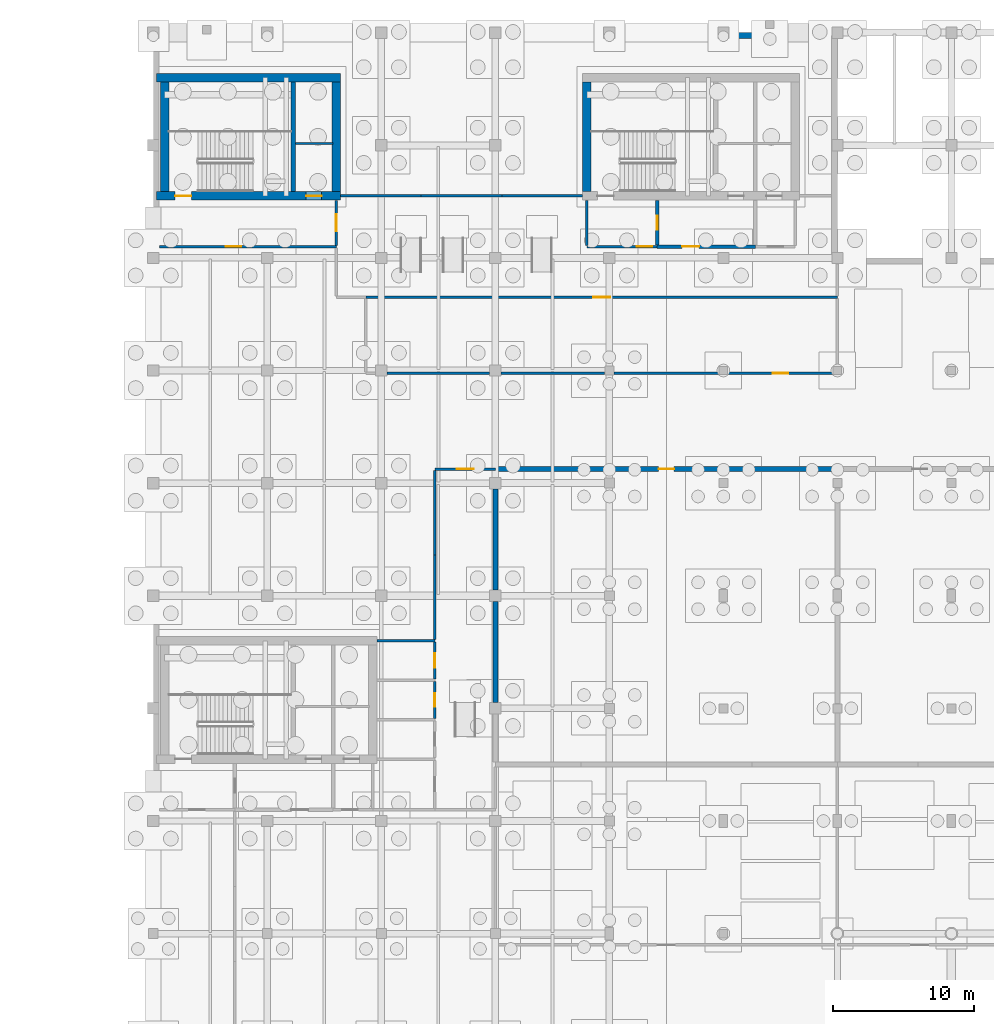
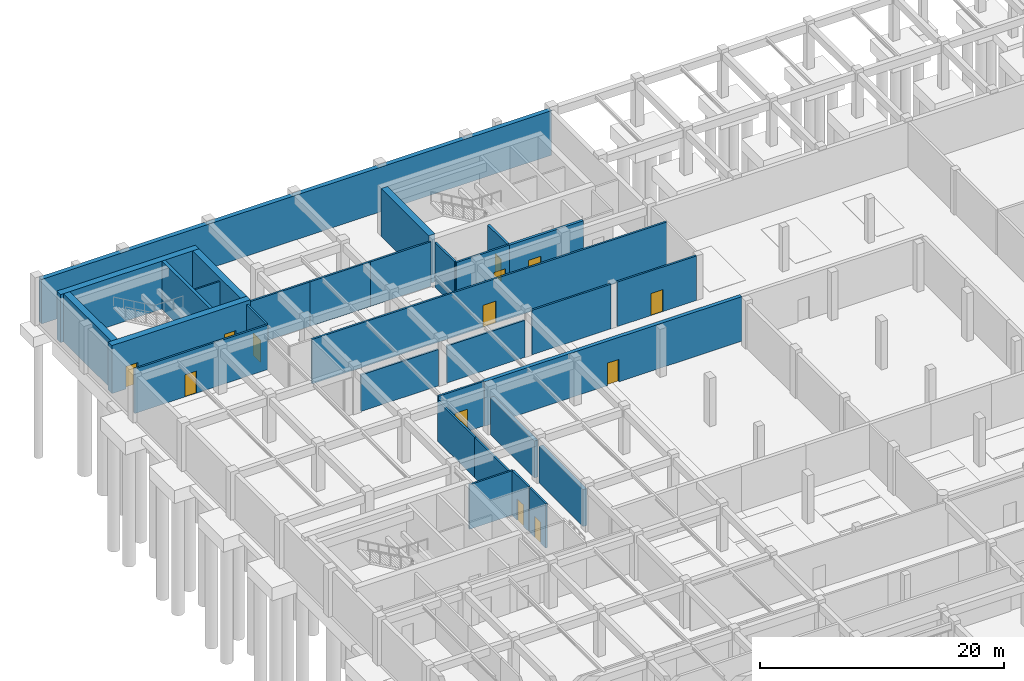
# One storey, part 17 of 25: 31 walls, 13 doors, 13 openings.
"""IFC4 building model written with IfcOpenShell, lengths in metres."""

from ifc_helpers import new_model, si_unit, direction, frame, frame_2d, origin, place, context, subcontext, project, spatial, rectangle, extrude, material, layer, layer_set, type_object, element, fill, save


model = new_model("IFC4")

# Units and contexts
model_context = context("Model", 3, precision=1e-05, world=origin(), true_north=direction((0.0, 1.0)))
body_context = subcontext(model_context, "Body", "Model", "MODEL_VIEW")
ifc_project = project(units=[si_unit("LENGTHUNIT", "METRE"), si_unit("AREAUNIT", "SQUARE_METRE"), si_unit("VOLUMEUNIT", "CUBIC_METRE"), si_unit("PLANEANGLEUNIT", "RADIAN"), si_unit("MASSUNIT", "GRAM", prefix="KILO")], contexts=[model_context])

# Site, building, storey
site_placement = place(None, origin())
site = spatial("IfcSite", under=ifc_project, at=site_placement, CompositionType="ELEMENT")
building_placement = place(site_placement, origin())
building = spatial("IfcBuilding", under=site, at=building_placement, Name="Tarnveldt Square Police Headquarters", CompositionType="ELEMENT")
storey_placement = place(building_placement, frame((0.0, 0.0, -4.800048828125)))
storey = spatial("IfcBuildingStorey", under=building, at=storey_placement, Name="B1", CompositionType="ELEMENT", Elevation=-4.800048828125)

# Wall
ifc_material_1 = material(Name="Concrete 50 MPa", Category="concrete")
ifc_layer_1 = layer(ifc_material_1, 0.449951171875)
ifc_layer_set_1 = layer_set([ifc_layer_1], Name="Concrete 50 MPa")
wall_type_1 = type_object("IfcWallType", Name="WL-CORE-450", PredefinedType="SHEAR", material=ifc_layer_set_1)
wall_1_placement = place(storey_placement, frame((26.14990234375, 100.699951171875, 0.0), z_axis=(0.0, 0.0, 1.0), x_axis=(0.0, 1.0, 0.0)))
element("IfcWall", 1, at=wall_1_placement, inside=storey, type_object=wall_type_1, Name="Core K2 North-West Operations Core B1 Stair-Lift Divider Shear Wall", PredefinedType="SHEAR", context=body_context, shape_type="SweptSolid", body=[
    extrude(rectangle(XDim=7.800048828125, YDim=0.300048828125, at=frame_2d((3.89990234375, 0.0))), origin(), (0.0, 0.0, 1.0), 4.800048828125),
])

# Wall, openings, doors
ifc_layer_2 = layer(ifc_material_1, 0.60009765625)
ifc_layer_set_2 = layer_set([ifc_layer_2], Name="Concrete 50 MPa")
wall_type_2 = type_object("IfcWallType", Name="WL-CORE-600", PredefinedType="SHEAR", material=ifc_layer_set_2)
wall_2_placement = place(storey_placement, frame((16.419921875, 100.39990234375, 0.0), z_axis=(0.0, 0.0, 1.0), x_axis=(1.0, 0.0, 0.0)))
wall_2 = element("IfcWall", 2, at=wall_2_placement, inside=storey, type_object=wall_type_2, Name="Core K2 North-West Operations Core B1 South Shear Wall", PredefinedType="SHEAR", context=body_context, shape_type="SweptSolid", body=[
    extrude(rectangle(XDim=13.080078125, YDim=0.60009765625, at=frame_2d((6.5400390625, 0.0))), origin(), (0.0, 0.0, 1.0), 4.800048828125),
])
opening_1_placement = place(wall_2_placement, frame((1.330078125, 0.0, 0.0)))
opening_1 = element("IfcOpeningElement", 3, at=opening_1_placement, cuts=wall_2, Name="Opening D-ST2-B1", PredefinedType="OPENING", context=body_context, shape_type="SweptSolid", body=[
    extrude(rectangle(XDim=1.14990234375, YDim=2.25, at=frame_2d((0.574951171875, 1.125))), frame((0.0, 0.31005859375, 0.0), z_axis=(0.0, -1.0, 0.0), x_axis=(1.0, 0.0, 0.0)), (0.0, 0.0, 1.0), 0.6201171875),
])
opening_2_placement = place(wall_2_placement, frame((10.635009765625, 0.0, 0.0)))
opening_2 = element("IfcOpeningElement", 4, at=opening_2_placement, cuts=wall_2, Name="Opening LD-LP2-B1", PredefinedType="OPENING", context=body_context, shape_type="SweptSolid", body=[
    extrude(rectangle(XDim=1.10009765625, YDim=2.199951171875, at=frame_2d((0.550048828125, 1.10009765625))), frame((0.0, 0.31005859375, 0.0), z_axis=(0.0, -1.0, 0.0), x_axis=(1.0, 0.0, 0.0)), (0.0, 0.0, 1.0), 0.6201171875),
])
ifc_material_2 = material(Name="Insulated hollow metal steel door leaf", Category="steel")
door_type_1 = type_object("IfcDoorType", Name="DR-FD90-1150", OperationType="NOTDEFINED", PredefinedType="DOOR", material=ifc_material_2)
door_1_placement = place(opening_1_placement, frame((1.14990234375, 0.0, 0.0), z_axis=(0.0, 0.0, 1.0), x_axis=(-1.0, 0.0, 0.0)))
door_1 = element("IfcDoor", 5, at=door_1_placement, inside=storey, type_object=door_type_1, Name="Exit Stair ST2 B1 Fire Door", OperationType="SINGLE_SWING_LEFT", OverallHeight=2.25, OverallWidth=1.14990234375, PredefinedType="DOOR", context=body_context, shape_type="SweptSolid", body=[
    extrude(rectangle(XDim=1.14990234375, YDim=2.25, at=frame_2d((0.574951171875, 1.125))), frame((0.0, 0.02490234375, 0.0), z_axis=(0.0, -1.0, 0.0), x_axis=(1.0, 0.0, 0.0)), (0.0, 0.0, 1.0), 0.050048828125),
])
fill(opening_1, door_1)
ifc_material_3 = material(Name="Steel 350W", Category="steel")
door_type_2 = type_object("IfcDoorType", Name="DR-LD-1100", OperationType="DOUBLE_DOOR_SLIDING", PredefinedType="DOOR", material=ifc_material_3)
door_2_placement = place(opening_2_placement, frame((1.10009765625, 0.0, 0.0), z_axis=(0.0, 0.0, 1.0), x_axis=(-1.0, 0.0, 0.0)))
door_2 = element("IfcDoor", 6, at=door_2_placement, inside=storey, type_object=door_type_2, Name="Elevator LP2 B1 Sliding Landing Door", OperationType="DOUBLE_DOOR_SLIDING", OverallHeight=2.199951171875, OverallWidth=1.10009765625, PredefinedType="DOOR", context=body_context, shape_type="SweptSolid", body=[
    extrude(rectangle(XDim=1.10009765625, YDim=2.199951171875, at=frame_2d((0.550048828125, 1.10009765625))), frame((0.0, 0.02490234375, 0.0), z_axis=(0.0, -1.0, 0.0), x_axis=(1.0, 0.0, 0.0)), (0.0, 0.0, 1.0), 0.050048828125),
])
fill(opening_2, door_2)

# Walls
wall_3_placement = place(storey_placement, frame((16.419921875, 108.800048828125, 0.0), z_axis=(0.0, 0.0, 1.0), x_axis=(1.0, 0.0, 0.0)))
element("IfcWall", 7, at=wall_3_placement, inside=storey, type_object=wall_type_2, Name="Core K2 North-West Operations Core B1 North Shear Wall", PredefinedType="SHEAR", context=body_context, shape_type="SweptSolid", body=[
    extrude(rectangle(XDim=13.080078125, YDim=0.60009765625, at=frame_2d((6.5400390625, 0.0))), origin(), (0.0, 0.0, 1.0), 4.800048828125),
])
for number, where, z_axis, x_axis, name in (
    (8, (17.0, 100.699951171875, 0.0), (0.0, 0.0, 1.0), (0.0, 1.0, 0.0), "Core K2 North-West Operations Core B1 West Shear Wall"),
    (9, (29.199951171875, 100.699951171875, 0.0), (0.0, 0.0, 1.0), (0.0, 1.0, 0.0), "Core K2 North-West Operations Core B1 East Shear Wall"),
    (10, (47.0, 100.699951171875, 0.0), (0.0, 0.0, 1.0), (0.0, 1.0, 0.0), "Core K3 North-Central Forensic and Firefighting Core B1 West Shear Wall"),
):
    element("IfcWall", number, at=place(storey_placement, frame(where, z_axis=z_axis, x_axis=x_axis)), inside=storey, type_object=wall_type_2, Name=name, PredefinedType="SHEAR", context=body_context, shape_type="SweptSolid", body=[
        extrude(rectangle(XDim=7.800048828125, YDim=0.60009765625, at=frame_2d((3.89990234375, 0.0))), origin(), (0.0, 0.0, 1.0), 4.800048828125),
    ])

# Wall, opening, door
ifc_material_4 = material(Name="Concrete 40 MPa", Category="concrete")
ifc_layer_3 = layer(ifc_material_4, 0.35009765625)
ifc_layer_set_3 = layer_set([ifc_layer_3], Name="Concrete 40 MPa")
wall_type_3 = type_object("IfcWallType", Name="WL-CUST-350", PredefinedType="SOLIDWALL", material=ifc_layer_set_3)
wall_4_placement = place(storey_placement, frame((40.5, 81.0, 0.0), z_axis=(0.0, 0.0, 1.0), x_axis=(1.0, 0.0, 0.0)))
wall_4 = element("IfcWall", 11, at=wall_4_placement, inside=storey, type_object=wall_type_3, Name="B1 Interior Partition Wall 0038", PredefinedType="SOLIDWALL", context=body_context, shape_type="SweptSolid", body=[
    extrude(rectangle(XDim=24.300048828125, YDim=0.35009765625, at=frame_2d((12.14990234375, 0.0))), origin(), (0.0, 0.0, 1.0), 4.449951171875),
])
opening_3_placement = place(wall_4_placement, frame((11.60009765625, 0.0, 0.0)))
opening_3 = element("IfcOpeningElement", 12, at=opening_3_placement, cuts=wall_4, Name="Opening D12", PredefinedType="OPENING", context=body_context, shape_type="SweptSolid", body=[
    extrude(rectangle(XDim=1.10009765625, YDim=2.25, at=frame_2d((0.550048828125, 1.125))), frame((0.0, 0.18505859375, 0.0), z_axis=(0.0, -1.0, 0.0), x_axis=(1.0, 0.0, 0.0)), (0.0, 0.0, 1.0), 0.3701171875),
])
door_type_3 = type_object("IfcDoorType", Name="DR-SEC-1100", OperationType="NOTDEFINED", PredefinedType="DOOR", material=ifc_material_3)
door_3_placement = place(opening_3_placement, frame((1.10009765625, 0.0, 0.0), z_axis=(0.0, 0.0, 1.0), x_axis=(-1.0, 0.0, 0.0)))
door_3 = element("IfcDoor", 13, at=door_3_placement, inside=storey, type_object=door_type_3, Name="High-Security Narcotics Evidence Vault Door", OperationType="SINGLE_SWING_LEFT", OverallHeight=2.25, OverallWidth=1.10009765625, PredefinedType="DOOR", context=body_context, shape_type="SweptSolid", body=[
    extrude(rectangle(XDim=1.10009765625, YDim=2.25, at=frame_2d((0.550048828125, 1.125))), frame((0.0, 0.02490234375, 0.0), z_axis=(0.0, -1.0, 0.0), x_axis=(1.0, 0.0, 0.0)), (0.0, 0.0, 1.0), 0.050048828125),
])
fill(opening_3, door_3)

# Walls
for number, where, z_axis, x_axis, name in (
    (14, (40.5, 64.407958984375, 0.0), (0.0, 0.0, 1.0), (0.0, 1.0, 0.0), "B1 Interior Partition Wall 0070"),
    (15, (40.5, 72.407958984375, 0.0), (0.0, 0.0, 1.0), (0.0, 1.0, 0.0), "B1 Interior Partition Wall 0071"),
):
    element("IfcWall", number, at=place(storey_placement, frame(where, z_axis=z_axis, x_axis=x_axis)), inside=storey, type_object=wall_type_3, Name=name, PredefinedType="SOLIDWALL", context=body_context, shape_type="SweptSolid", body=[
        extrude(rectangle(XDim=7.18408203125, YDim=0.35009765625, at=frame_2d((3.592041015625, 0.0))), origin(), (0.0, 0.0, 1.0), 3.692138671875),
    ])

# Wall, opening, door
ifc_material_5 = material(Name="Fire-rated Type X gypsum board on steel studs", Category="steel")
ifc_layer_4 = layer(ifc_material_5, 0.179931640625)
ifc_layer_set_4 = layer_set([ifc_layer_4], Name="Fire-rated Type X gypsum board on steel studs")
wall_type_4 = type_object("IfcWallType", Name="WL-FIRE-180", PredefinedType="PARTITIONING", material=ifc_layer_set_4)
wall_5_placement = place(storey_placement, frame((16.6279296875, 96.800048828125, 0.0), z_axis=(0.0, 0.0, 1.0), x_axis=(1.0, 0.0, 0.0)))
wall_5 = element("IfcWall", 16, at=wall_5_placement, inside=storey, type_object=wall_type_4, Name="B1 Interior Partition Wall 0004", PredefinedType="PARTITIONING", context=body_context, shape_type="SweptSolid", body=[
    extrude(rectangle(XDim=12.572021484375, YDim=0.179931640625, at=frame_2d((6.2861328125, 0.0))), origin(), (0.0, 0.0, 1.0), 4.449951171875),
])
opening_4_placement = place(wall_5_placement, frame((4.730224609375, 0.0, 0.0)))
opening_4 = element("IfcOpeningElement", 17, at=opening_4_placement, cuts=wall_5, Name="Opening D15", PredefinedType="OPENING", context=body_context, shape_type="SweptSolid", body=[
    extrude(rectangle(XDim=1.10009765625, YDim=2.199951171875, at=frame_2d((0.550048828125, 1.10009765625))), frame((0.0, 0.099853515625, 0.0), z_axis=(0.0, -1.0, 0.0), x_axis=(1.0, 0.0, 0.0)), (0.0, 0.0, 1.0), 0.199951171875),
])
door_type_4 = type_object("IfcDoorType", Name="DR-FD60-1100", OperationType="NOTDEFINED", PredefinedType="DOOR", material=ifc_material_2)
door_4_placement = place(opening_4_placement, origin())
door_4 = element("IfcDoor", 18, at=door_4_placement, inside=storey, type_object=door_type_4, Name="Core Lift Lobby K2-B1 Secondary Door", OperationType="SINGLE_SWING_RIGHT", OverallHeight=2.199951171875, OverallWidth=1.10009765625, PredefinedType="DOOR", context=body_context, shape_type="SweptSolid", body=[
    extrude(rectangle(XDim=1.10009765625, YDim=2.199951171875, at=frame_2d((0.550048828125, 1.10009765625))), frame((0.0, 0.02490234375, 0.0), z_axis=(0.0, -1.0, 0.0), x_axis=(1.0, 0.0, 0.0)), (0.0, 0.0, 1.0), 0.050048828125),
])
fill(opening_4, door_4)

# Walls
wall_6_placement = place(storey_placement, frame((29.5, 100.39990234375, 0.0), z_axis=(0.0, 0.0, 1.0), x_axis=(1.0, 0.0, 0.0)))
element("IfcWall", 19, at=wall_6_placement, inside=storey, type_object=wall_type_4, Name="B1 Interior Partition Wall 0017", PredefinedType="PARTITIONING", context=body_context, shape_type="SweptSolid", body=[
    extrude(rectangle(XDim=5.7333984375, YDim=0.179931640625, at=frame_2d((2.86669921875, 0.0))), origin(), (0.0, 0.0, 1.0), 4.449951171875),
])
wall_7_placement = place(storey_placement, frame((35.2333984375, 100.39990234375, 0.0), z_axis=(0.0, 0.0, 1.0), x_axis=(1.0, 0.0, 0.0)))
element("IfcWall", 20, at=wall_7_placement, inside=storey, type_object=wall_type_4, Name="B1 Interior Partition Wall 0018", PredefinedType="PARTITIONING", context=body_context, shape_type="SweptSolid", body=[
    extrude(rectangle(XDim=5.733154296875, YDim=0.179931640625, at=frame_2d((2.86669921875, 0.0))), origin(), (0.0, 0.0, 1.0), 4.449951171875),
])
wall_8_placement = place(storey_placement, frame((40.966552734375, 100.39990234375, 0.0), z_axis=(0.0, 0.0, 1.0), x_axis=(1.0, 0.0, 0.0)))
element("IfcWall", 21, at=wall_8_placement, inside=storey, type_object=wall_type_4, Name="B1 Interior Partition Wall 0019", PredefinedType="PARTITIONING", context=body_context, shape_type="SweptSolid", body=[
    extrude(rectangle(XDim=5.7333984375, YDim=0.179931640625, at=frame_2d((2.86669921875, 0.0))), origin(), (0.0, 0.0, 1.0), 4.449951171875),
])
wall_9_placement = place(storey_placement, frame((32.80810546875, 87.800048828125, 0.0), z_axis=(0.0, 0.0, 1.0), x_axis=(1.0, 0.0, 0.0)))
element("IfcWall", 22, at=wall_9_placement, inside=storey, type_object=wall_type_4, Name="B1 Interior Partition Wall 0021", PredefinedType="PARTITIONING", context=body_context, shape_type="SweptSolid", body=[
    extrude(rectangle(XDim=7.283935546875, YDim=0.179931640625, at=frame_2d((3.64208984375, 0.0))), origin(), (0.0, 0.0, 1.0), 3.64208984375),
])
wall_10_placement = place(storey_placement, frame((40.907958984375, 87.800048828125, 0.0), z_axis=(0.0, 0.0, 1.0), x_axis=(1.0, 0.0, 0.0)))
element("IfcWall", 23, at=wall_10_placement, inside=storey, type_object=wall_type_4, Name="B1 Interior Partition Wall 0022", PredefinedType="PARTITIONING", context=body_context, shape_type="SweptSolid", body=[
    extrude(rectangle(XDim=7.359130859375, YDim=0.179931640625, at=frame_2d((3.6796875, 0.0))), origin(), (0.0, 0.0, 1.0), 3.692138671875),
])
wall_11_placement = place(storey_placement, frame((48.93310546875, 87.800048828125, 0.0), z_axis=(0.0, 0.0, 1.0), x_axis=(1.0, 0.0, 0.0)))
element("IfcWall", 24, at=wall_11_placement, inside=storey, type_object=wall_type_4, Name="B1 Interior Partition Wall 0023", PredefinedType="PARTITIONING", context=body_context, shape_type="SweptSolid", body=[
    extrude(rectangle(XDim=7.458984375, YDim=0.179931640625, at=frame_2d((3.7294921875, 0.0))), origin(), (0.0, 0.0, 1.0), 4.449951171875),
])

# Wall, opening, door
wall_12_placement = place(storey_placement, frame((57.008056640625, 87.800048828125, 0.0), z_axis=(0.0, 0.0, 1.0), x_axis=(1.0, 0.0, 0.0)))
wall_12 = element("IfcWall", 25, at=wall_12_placement, inside=storey, type_object=wall_type_4, Name="B1 Interior Partition Wall 0024", PredefinedType="PARTITIONING", context=body_context, shape_type="SweptSolid", body=[
    extrude(rectangle(XDim=7.48388671875, YDim=0.179931640625, at=frame_2d((3.741943359375, 0.0))), origin(), (0.0, 0.0, 1.0), 4.449951171875),
])
opening_5_placement = place(wall_12_placement, frame((3.19189453125, 0.0, 0.0)))
opening_5 = element("IfcOpeningElement", 26, at=opening_5_placement, cuts=wall_12, Name="Opening D15", PredefinedType="OPENING", context=body_context, shape_type="SweptSolid", body=[
    extrude(rectangle(XDim=1.10009765625, YDim=2.199951171875, at=frame_2d((0.550048828125, 1.10009765625))), frame((0.0, 0.099853515625, 0.0), z_axis=(0.0, -1.0, 0.0), x_axis=(1.0, 0.0, 0.0)), (0.0, 0.0, 1.0), 0.199951171875),
])
door_5_placement = place(opening_5_placement, origin())
door_5 = element("IfcDoor", 27, at=door_5_placement, inside=storey, type_object=door_type_4, Name="Officer Secure Bicycle and Gear Locker Room Door", OperationType="SINGLE_SWING_LEFT", OverallHeight=2.199951171875, OverallWidth=1.10009765625, PredefinedType="DOOR", context=body_context, shape_type="SweptSolid", body=[
    extrude(rectangle(XDim=1.10009765625, YDim=2.199951171875, at=frame_2d((0.550048828125, 1.10009765625))), frame((0.0, 0.02490234375, 0.0), z_axis=(0.0, -1.0, 0.0), x_axis=(1.0, 0.0, 0.0)), (0.0, 0.0, 1.0), 0.050048828125),
])
fill(opening_5, door_5)

wall_13_placement = place(storey_placement, frame((31.300048828125, 93.199951171875, 0.0), z_axis=(0.0, 0.0, 1.0), x_axis=(1.0, 0.0, 0.0)))
wall_13 = element("IfcWall", 28, at=wall_13_placement, inside=storey, type_object=wall_type_4, Name="B1 Interior Partition Wall 0025", PredefinedType="PARTITIONING", context=body_context, shape_type="SweptSolid", body=[
    extrude(rectangle(XDim=33.5, YDim=0.179931640625, at=frame_2d((16.75, 0.0))), origin(), (0.0, 0.0, 1.0), 4.449951171875),
])
opening_6_placement = place(wall_13_placement, frame((16.14990234375, 0.0, 0.0)))
opening_6 = element("IfcOpeningElement", 29, at=opening_6_placement, cuts=wall_13, Name="Opening D16", PredefinedType="OPENING", context=body_context, shape_type="SweptSolid", body=[
    extrude(rectangle(XDim=1.199951171875, YDim=2.199951171875, at=frame_2d((0.60009765625, 1.10009765625))), frame((0.0, 0.099853515625, 0.0), z_axis=(0.0, -1.0, 0.0), x_axis=(1.0, 0.0, 0.0)), (0.0, 0.0, 1.0), 0.199951171875),
])
door_type_5 = type_object("IfcDoorType", Name="DR-FD60-1200", OperationType="NOTDEFINED", PredefinedType="DOOR", material=ifc_material_2)
door_6_placement = place(opening_6_placement, origin())
door_6 = element("IfcDoor", 30, at=door_6_placement, inside=storey, type_object=door_type_5, Name="Basement Core K3 North Corridor Door", OperationType="SINGLE_SWING_RIGHT", OverallHeight=2.199951171875, OverallWidth=1.199951171875, PredefinedType="DOOR", context=body_context, shape_type="SweptSolid", body=[
    extrude(rectangle(XDim=1.199951171875, YDim=2.199951171875, at=frame_2d((0.60009765625, 1.10009765625))), frame((0.0, 0.02490234375, 0.0), z_axis=(0.0, -1.0, 0.0), x_axis=(1.0, 0.0, 0.0)), (0.0, 0.0, 1.0), 0.050048828125),
])
fill(opening_6, door_6)

wall_14_placement = place(storey_placement, frame((36.199951171875, 81.0, 0.0), z_axis=(0.0, 0.0, 1.0), x_axis=(1.0, 0.0, 0.0)))
wall_14 = element("IfcWall", 31, at=wall_14_placement, inside=storey, type_object=wall_type_4, Name="B1 Interior Partition Wall 0032", PredefinedType="PARTITIONING", context=body_context, shape_type="SweptSolid", body=[
    extrude(rectangle(XDim=4.300048828125, YDim=0.179931640625, at=frame_2d((2.14990234375, 0.0))), origin(), (0.0, 0.0, 1.0), 4.449951171875),
])
opening_7_placement = place(wall_14_placement, frame((1.550048828125, 0.0, 0.0)))
opening_7 = element("IfcOpeningElement", 32, at=opening_7_placement, cuts=wall_14, Name="Opening D16", PredefinedType="OPENING", context=body_context, shape_type="SweptSolid", body=[
    extrude(rectangle(XDim=1.199951171875, YDim=2.199951171875, at=frame_2d((0.60009765625, 1.10009765625))), frame((0.0, 0.099853515625, 0.0), z_axis=(0.0, -1.0, 0.0), x_axis=(1.0, 0.0, 0.0)), (0.0, 0.0, 1.0), 0.199951171875),
])
door_7_placement = place(opening_7_placement, frame((1.199951171875, 0.0, 0.0), z_axis=(0.0, 0.0, 1.0), x_axis=(-1.0, 0.0, 0.0)))
door_7 = element("IfcDoor", 33, at=door_7_placement, inside=storey, type_object=door_type_5, Name="Basement Core K1 Corridor Door", OperationType="SINGLE_SWING_LEFT", OverallHeight=2.199951171875, OverallWidth=1.199951171875, PredefinedType="DOOR", context=body_context, shape_type="SweptSolid", body=[
    extrude(rectangle(XDim=1.199951171875, YDim=2.199951171875, at=frame_2d((0.60009765625, 1.10009765625))), frame((0.0, 0.02490234375, 0.0), z_axis=(0.0, -1.0, 0.0), x_axis=(1.0, 0.0, 0.0)), (0.0, 0.0, 1.0), 0.050048828125),
])
fill(opening_7, door_7)

wall_15_placement = place(storey_placement, frame((47.0, 96.800048828125, 0.0), z_axis=(0.0, 0.0, 1.0), x_axis=(1.0, 0.0, 0.0)))
wall_15 = element("IfcWall", 34, at=wall_15_placement, inside=storey, type_object=wall_type_4, Name="B1 Interior Partition Wall 0039", PredefinedType="PARTITIONING", context=body_context, shape_type="SweptSolid", body=[
    extrude(rectangle(XDim=5.0, YDim=0.179931640625, at=frame_2d((2.5, 0.0))), origin(), (0.0, 0.0, 1.0), 4.449951171875),
])
opening_8_placement = place(wall_15_placement, frame((3.550048828125, 0.0, 0.0)))
opening_8 = element("IfcOpeningElement", 35, at=opening_8_placement, cuts=wall_15, Name="Opening D15", PredefinedType="OPENING", context=body_context, shape_type="SweptSolid", body=[
    extrude(rectangle(XDim=1.10009765625, YDim=2.199951171875, at=frame_2d((0.550048828125, 1.10009765625))), frame((0.0, 0.099853515625, 0.0), z_axis=(0.0, -1.0, 0.0), x_axis=(1.0, 0.0, 0.0)), (0.0, 0.0, 1.0), 0.199951171875),
])
door_8_placement = place(opening_8_placement, frame((1.10009765625, 0.0, 0.0), z_axis=(0.0, 0.0, 1.0), x_axis=(-1.0, 0.0, 0.0)))
door_8 = element("IfcDoor", 36, at=door_8_placement, inside=storey, type_object=door_type_4, Name="Core Stair Lobby K3-B1 Door", OperationType="SINGLE_SWING_RIGHT", OverallHeight=2.199951171875, OverallWidth=1.10009765625, PredefinedType="DOOR", context=body_context, shape_type="SweptSolid", body=[
    extrude(rectangle(XDim=1.10009765625, YDim=2.199951171875, at=frame_2d((0.550048828125, 1.10009765625))), frame((0.0, 0.02490234375, 0.0), z_axis=(0.0, -1.0, 0.0), x_axis=(1.0, 0.0, 0.0)), (0.0, 0.0, 1.0), 0.050048828125),
])
fill(opening_8, door_8)

wall_16_placement = place(storey_placement, frame((29.199951171875, 96.89794921875, 0.0), z_axis=(0.0, 0.0, 1.0), x_axis=(0.0, 1.0, 0.0)))
wall_16 = element("IfcWall", 37, at=wall_16_placement, inside=storey, type_object=wall_type_4, Name="B1 Interior Partition Wall 0058", PredefinedType="PARTITIONING", context=body_context, shape_type="SweptSolid", body=[
    extrude(rectangle(XDim=3.194091796875, YDim=0.179931640625, at=frame_2d((1.59716796875, 0.0))), origin(), (0.0, 0.0, 1.0), 4.449951171875),
])
opening_9_placement = place(wall_16_placement, frame((0.9970703125, 0.0, 0.0)))
opening_9 = element("IfcOpeningElement", 38, at=opening_9_placement, cuts=wall_16, Name="Opening D16", PredefinedType="OPENING", context=body_context, shape_type="SweptSolid", body=[
    extrude(rectangle(XDim=1.199951171875, YDim=2.199951171875, at=frame_2d((0.60009765625, 1.10009765625))), frame((0.0, 0.099853515625, 0.0), z_axis=(0.0, -1.0, 0.0), x_axis=(1.0, 0.0, 0.0)), (0.0, 0.0, 1.0), 0.199951171875),
])
door_9_placement = place(opening_9_placement, frame((1.199951171875, 0.0, 0.0), z_axis=(0.0, 0.0, 1.0), x_axis=(-1.0, 0.0, 0.0)))
door_9 = element("IfcDoor", 39, at=door_9_placement, inside=storey, type_object=door_type_5, Name="Core Lift Lobby K2-B1 Door", OperationType="SINGLE_SWING_LEFT", OverallHeight=2.199951171875, OverallWidth=1.199951171875, PredefinedType="DOOR", context=body_context, shape_type="SweptSolid", body=[
    extrude(rectangle(XDim=1.199951171875, YDim=2.199951171875, at=frame_2d((0.60009765625, 1.10009765625))), frame((0.0, 0.02490234375, 0.0), z_axis=(0.0, -1.0, 0.0), x_axis=(1.0, 0.0, 0.0)), (0.0, 0.0, 1.0), 0.050048828125),
])
fill(opening_9, door_9)

wall_17_placement = place(storey_placement, frame((36.199951171875, 63.2880859375, 0.0), z_axis=(0.0, 0.0, 1.0), x_axis=(0.0, 1.0, 0.0)))
wall_17 = element("IfcWall", 40, at=wall_17_placement, inside=storey, type_object=wall_type_4, Name="B1 Interior Partition Wall 0063", PredefinedType="PARTITIONING", context=body_context, shape_type="SweptSolid", body=[
    extrude(rectangle(XDim=2.6240234375, YDim=0.179931640625, at=frame_2d((1.31201171875, 0.0))), origin(), (0.0, 0.0, 1.0), 4.449951171875),
])
opening_10_placement = place(wall_17_placement, frame((0.8369140625, 0.0, 0.0)))
opening_10 = element("IfcOpeningElement", 41, at=opening_10_placement, cuts=wall_17, Name="Opening D02", PredefinedType="OPENING", context=body_context, shape_type="SweptSolid", body=[
    extrude(rectangle(XDim=0.949951171875, YDim=2.10009765625, at=frame_2d((0.47509765625, 1.050048828125))), frame((0.0, 0.099853515625, 0.0), z_axis=(0.0, -1.0, 0.0), x_axis=(1.0, 0.0, 0.0)), (0.0, 0.0, 1.0), 0.199951171875),
])
ifc_material_6 = material(Name="Solid core architectural birch door leaf", Category="wood")
door_type_6 = type_object("IfcDoorType", Name="DR-WC-950", OperationType="NOTDEFINED", PredefinedType="DOOR", material=ifc_material_6)
door_10_placement = place(opening_10_placement, origin())
door_10 = element("IfcDoor", 42, at=door_10_placement, inside=storey, type_object=door_type_6, Name="Women Washroom B1 Door", OperationType="SINGLE_SWING_RIGHT", OverallHeight=2.10009765625, OverallWidth=0.949951171875, PredefinedType="DOOR", context=body_context, shape_type="SweptSolid", body=[
    extrude(rectangle(XDim=0.949951171875, YDim=2.10009765625, at=frame_2d((0.47509765625, 1.050048828125))), frame((0.0, 0.02490234375, 0.0), z_axis=(0.0, -1.0, 0.0), x_axis=(1.0, 0.0, 0.0)), (0.0, 0.0, 1.0), 0.050048828125),
])
fill(opening_10, door_10)

wall_18_placement = place(storey_placement, frame((36.199951171875, 66.087890625, 0.0), z_axis=(0.0, 0.0, 1.0), x_axis=(0.0, 1.0, 0.0)))
wall_18 = element("IfcWall", 43, at=wall_18_placement, inside=storey, type_object=wall_type_4, Name="B1 Interior Partition Wall 0064", PredefinedType="PARTITIONING", context=body_context, shape_type="SweptSolid", body=[
    extrude(rectangle(XDim=2.6240234375, YDim=0.179931640625, at=frame_2d((1.31201171875, 0.0))), origin(), (0.0, 0.0, 1.0), 4.449951171875),
])
opening_11_placement = place(wall_18_placement, frame((0.81201171875, 0.0, 0.0)))
opening_11 = element("IfcOpeningElement", 44, at=opening_11_placement, cuts=wall_18, Name="Opening D04", PredefinedType="OPENING", context=body_context, shape_type="SweptSolid", body=[
    extrude(rectangle(XDim=1.0, YDim=2.14990234375, at=frame_2d((0.5, 1.074951171875))), frame((0.0, 0.099853515625, 0.0), z_axis=(0.0, -1.0, 0.0), x_axis=(1.0, 0.0, 0.0)), (0.0, 0.0, 1.0), 0.199951171875),
])
door_type_7 = type_object("IfcDoorType", Name="DR-ACC-1000", OperationType="NOTDEFINED", PredefinedType="DOOR", material=ifc_material_6)
door_11_placement = place(opening_11_placement, origin())
door_11 = element("IfcDoor", 45, at=door_11_placement, inside=storey, type_object=door_type_7, Name="Accessible WC B1 Door", OperationType="SINGLE_SWING_LEFT", OverallHeight=2.14990234375, OverallWidth=1.0, PredefinedType="DOOR", context=body_context, shape_type="SweptSolid", body=[
    extrude(rectangle(XDim=1.0, YDim=2.14990234375, at=frame_2d((0.5, 1.074951171875))), frame((0.0, 0.02490234375, 0.0), z_axis=(0.0, -1.0, 0.0), x_axis=(1.0, 0.0, 0.0)), (0.0, 0.0, 1.0), 0.050048828125),
])
fill(opening_11, door_11)

# Walls
for number, where, z_axis, x_axis, name in (
    (46, (36.199951171875, 68.887939453125, 0.0), (0.0, 0.0, 1.0), (0.0, 1.0, 0.0), "B1 Interior Partition Wall 0065"),
    (47, (36.199951171875, 74.89501953125, 0.0), (0.0, 0.0, 1.0), (0.0, 1.0, 0.0), "B1 Interior Partition Wall 0066"),
):
    element("IfcWall", number, at=place(storey_placement, frame(where, z_axis=z_axis, x_axis=x_axis)), inside=storey, type_object=wall_type_4, Name=name, PredefinedType="PARTITIONING", context=body_context, shape_type="SweptSolid", body=[
        extrude(rectangle(XDim=6.007080078125, YDim=0.179931640625, at=frame_2d((3.00341796875, 0.0))), origin(), (0.0, 0.0, 1.0), 4.03515625),
    ])
wall_19_placement = place(storey_placement, frame((47.0, 96.89794921875, 0.0), z_axis=(0.0, 0.0, 1.0), x_axis=(0.0, 1.0, 0.0)))
element("IfcWall", 48, at=wall_19_placement, inside=storey, type_object=wall_type_4, Name="B1 Interior Partition Wall 0072", PredefinedType="PARTITIONING", context=body_context, shape_type="SweptSolid", body=[
    extrude(rectangle(XDim=3.194091796875, YDim=0.179931640625, at=frame_2d((1.59716796875, 0.0))), origin(), (0.0, 0.0, 1.0), 4.449951171875),
])

# Wall, opening, door
ifc_material_7 = material(Name="Concrete block masonry 15 MPa", Category="masonry")
ifc_layer_5 = layer(ifc_material_7, 0.239990234375)
ifc_layer_set_5 = layer_set([ifc_layer_5], Name="Concrete block masonry 15 MPa")
wall_type_5 = type_object("IfcWallType", Name="WL-FIRE-240", PredefinedType="PARTITIONING", material=ifc_layer_set_5)
wall_20_placement = place(storey_placement, frame((52.0, 96.800048828125, 0.0), z_axis=(0.0, 0.0, 1.0), x_axis=(1.0, 0.0, 0.0)))
wall_20 = element("IfcWall", 49, at=wall_20_placement, inside=storey, type_object=wall_type_5, Name="B1 Interior Partition Wall 0041", PredefinedType="PARTITIONING", context=body_context, shape_type="SweptSolid", body=[
    extrude(rectangle(XDim=6.97509765625, YDim=0.239990234375, at=frame_2d((3.487548828125, 0.0))), origin(), (0.0, 0.0, 1.0), 4.449951171875),
])
opening_12_placement = place(wall_20_placement, frame((1.771484375, 0.0, 0.0)))
opening_12 = element("IfcOpeningElement", 50, at=opening_12_placement, cuts=wall_20, Name="Opening D20", PredefinedType="OPENING", context=body_context, shape_type="SweptSolid", body=[
    extrude(rectangle(XDim=1.199951171875, YDim=2.300048828125, at=frame_2d((0.60009765625, 1.14990234375))), frame((0.0, 0.1298828125, 0.0), z_axis=(0.0, -1.0, 0.0), x_axis=(1.0, 0.0, 0.0)), (0.0, 0.0, 1.0), 0.260009765625),
])
door_type_8 = type_object("IfcDoorType", Name="DR-FD90-1200", OperationType="NOTDEFINED", PredefinedType="DOOR", material=ifc_material_2)
door_12_placement = place(opening_12_placement, frame((1.199951171875, 0.0, 0.0), z_axis=(0.0, 0.0, 1.0), x_axis=(-1.0, 0.0, 0.0)))
door_12 = element("IfcDoor", 51, at=door_12_placement, inside=storey, type_object=door_type_8, Name="Firefighting Lift Lobby K3-B1 Door", OperationType="SINGLE_SWING_LEFT", OverallHeight=2.300048828125, OverallWidth=1.199951171875, PredefinedType="DOOR", context=body_context, shape_type="SweptSolid", body=[
    extrude(rectangle(XDim=1.199951171875, YDim=2.300048828125, at=frame_2d((0.60009765625, 1.14990234375))), frame((0.0, 0.02490234375, 0.0), z_axis=(0.0, -1.0, 0.0), x_axis=(1.0, 0.0, 0.0)), (0.0, 0.0, 1.0), 0.050048828125),
])
fill(opening_12, door_12)

wall_21_placement = place(storey_placement, frame((52.0, 96.927978515625, 0.0), z_axis=(0.0, 0.0, 1.0), x_axis=(0.0, 1.0, 0.0)))
wall_21 = element("IfcWall", 52, at=wall_21_placement, inside=storey, type_object=wall_type_5, Name="B1 Interior Partition Wall 0075", PredefinedType="PARTITIONING", context=body_context, shape_type="SweptSolid", body=[
    extrude(rectangle(XDim=3.1640625, YDim=0.239990234375, at=frame_2d((1.58203125, 0.0))), origin(), (0.0, 0.0, 1.0), 4.449951171875),
])
opening_13_placement = place(wall_21_placement, frame((1.08203125, 0.0, 0.0)))
opening_13 = element("IfcOpeningElement", 53, at=opening_13_placement, cuts=wall_21, Name="Opening D17", PredefinedType="OPENING", context=body_context, shape_type="SweptSolid", body=[
    extrude(rectangle(XDim=1.0, YDim=2.199951171875, at=frame_2d((0.5, 1.10009765625))), frame((0.0, 0.1298828125, 0.0), z_axis=(0.0, -1.0, 0.0), x_axis=(1.0, 0.0, 0.0)), (0.0, 0.0, 1.0), 0.260009765625),
])
door_type_9 = type_object("IfcDoorType", Name="DR-FD90-1000", OperationType="NOTDEFINED", PredefinedType="DOOR", material=ifc_material_2)
door_13_placement = place(opening_13_placement, origin())
door_13 = element("IfcDoor", 54, at=door_13_placement, inside=storey, type_object=door_type_9, Name="Firefighting Lift Lobby K3-B1 Secondary Door", OperationType="SINGLE_SWING_RIGHT", OverallHeight=2.199951171875, OverallWidth=1.0, PredefinedType="DOOR", context=body_context, shape_type="SweptSolid", body=[
    extrude(rectangle(XDim=1.0, YDim=2.199951171875, at=frame_2d((0.5, 1.10009765625))), frame((0.0, 0.02490234375, 0.0), z_axis=(0.0, -1.0, 0.0), x_axis=(1.0, 0.0, 0.0)), (0.0, 0.0, 1.0), 0.050048828125),
])
fill(opening_13, door_13)

# Walls
ifc_layer_6 = layer(ifc_material_4, 0.419921875)
ifc_layer_set_6 = layer_set([ifc_layer_6], Name="Concrete 40 MPa")
wall_type_6 = type_object("IfcWallType", Name="WL-RET-420", PredefinedType="USERDEFINED", material=ifc_layer_set_6)
wall_22_placement = place(storey_placement, frame((16.409912109375, 111.7900390625, 0.0), z_axis=(0.0, 0.0, 1.0), x_axis=(1.0, 0.0, 0.0)))
element("IfcWall", 55, at=wall_22_placement, inside=storey, type_object=wall_type_6, Name="Basement Perimeter Retaining Wall 03", ObjectType="RETAINING WALL", PredefinedType="USERDEFINED", context=body_context, shape_type="SweptSolid", body=[
    extrude(rectangle(XDim=48.18017578125, YDim=0.419921875, at=frame_2d((24.090087890625, 0.0))), origin(), (0.0, 0.0, 1.0), 4.449951171875),
])
ifc_layer_7 = layer(ifc_material_5, 0.14990234375)
ifc_layer_set_7 = layer_set([ifc_layer_7], Name="Fire-rated Type X gypsum board on steel studs")
wall_type_7 = type_object("IfcWallType", Name="WL-SHAFT-150", PredefinedType="PARTITIONING", material=ifc_layer_set_7)
wall_23_placement = place(storey_placement, frame((26.300048828125, 104.1201171875, 0.0), z_axis=(0.0, 0.0, 1.0), x_axis=(1.0, 0.0, 0.0)))
element("IfcWall", 56, at=wall_23_placement, inside=storey, type_object=wall_type_7, Name="K2 B1 Elevator Shaft Back Wall", PredefinedType="PARTITIONING", context=body_context, shape_type="SweptSolid", body=[
    extrude(rectangle(XDim=2.64990234375, YDim=0.14990234375, at=frame_2d((1.324951171875, 0.0))), origin(), (0.0, 0.0, 1.0), 4.449951171875),
])
ifc_layer_8 = layer(ifc_material_7, 0.159912109375)
ifc_layer_set_8 = layer_set([ifc_layer_8], Name="Concrete block masonry 15 MPa")
wall_type_8 = type_object("IfcWallType", Name="WL-WET-160", PredefinedType="PARTITIONING", material=ifc_layer_set_8)
wall_24_placement = place(storey_placement, frame((32.10009765625, 68.800048828125, 0.0), z_axis=(0.0, 0.0, 1.0), x_axis=(1.0, 0.0, 0.0)))
element("IfcWall", 57, at=wall_24_placement, inside=storey, type_object=wall_type_8, Name="B1 Interior Partition Wall 0030", PredefinedType="PARTITIONING", context=body_context, shape_type="SweptSolid", body=[
    extrude(rectangle(XDim=4.099853515625, YDim=0.159912109375, at=frame_2d((2.0498046875, 0.0))), origin(), (0.0, 0.0, 1.0), 4.449951171875),
])

save(model, "model.ifc")
